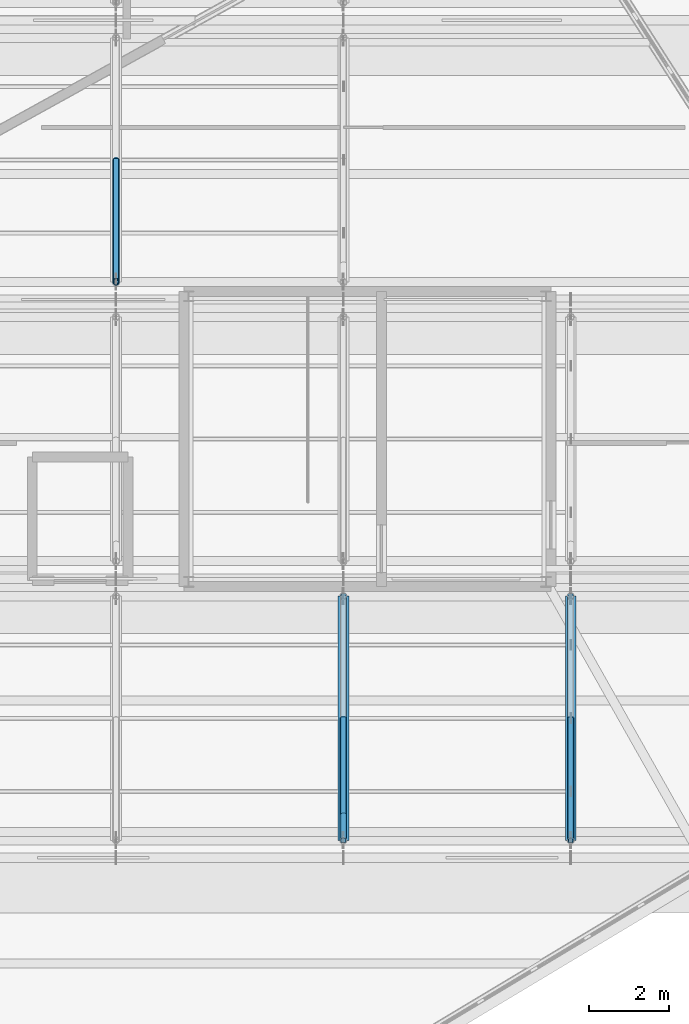
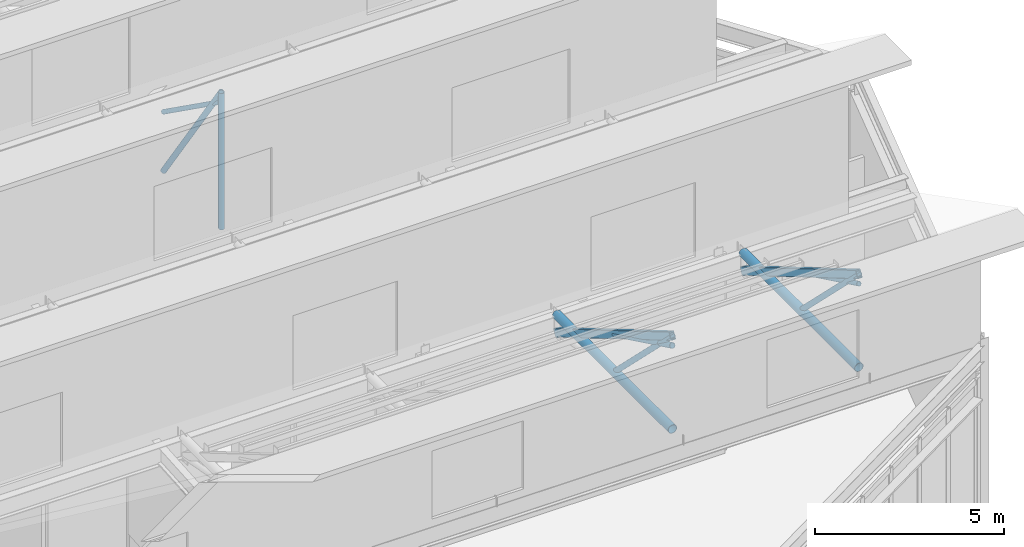
# One storey, part 21 of 55: 11 members.
"""IFC4 building model written with IfcOpenShell, lengths in metres."""

from ifc_helpers import new_model, si_unit, direction, frame, origin, origin_2d, place, context, subcontext, project, spatial, hollow_rectangle, hollow_circle, extrude, material, material_profile, profile_set, type_object, element, save


model = new_model("IFC4")

# Units and contexts
model_context = context("Model", 3, precision=1e-05, world=origin(), true_north=direction((0.0, 1.0)))
body_context = subcontext(model_context, "Body", "Model", "MODEL_VIEW")
ifc_project = project(units=[si_unit("LENGTHUNIT", "METRE"), si_unit("AREAUNIT", "SQUARE_METRE"), si_unit("VOLUMEUNIT", "CUBIC_METRE"), si_unit("PLANEANGLEUNIT", "RADIAN"), si_unit("MASSUNIT", "GRAM", prefix="KILO")], contexts=[model_context])

# Site, building, storey
site_placement = place(None, origin())
site = spatial("IfcSite", under=ifc_project, at=site_placement, CompositionType="ELEMENT")
building_placement = place(site_placement, origin())
building = spatial("IfcBuilding", under=site, at=building_placement, Name="Tameran Prism Museum", CompositionType="ELEMENT")
storey_placement = place(building_placement, frame((0.0, 0.0, 28.800048828125)))
storey = spatial("IfcBuildingStorey", under=building, at=storey_placement, Name="L05", CompositionType="ELEMENT", Elevation=28.800048828125)

# Members
ifc_material_1 = material(Name="Steel Grade C350L0 (350 MPa)", Category="steel")
ifc_material_profile_1 = material_profile(ifc_material_1, hollow_circle(Radius=0.084228515625, WallThickness=0.007080078125, at=origin_2d()))
ifc_profile_set_1 = profile_set([ifc_material_profile_1])
member_type_1 = type_object("IfcMemberType", Name="MM-BR-CHS168", PredefinedType="BRACE", material=ifc_profile_set_1)
for number, where, z_axis, x_axis, name in (
    (1, (130.39990234375, 76.0, 6.385986328125), (0.0, -0.711407246691, 0.70278000068), (1.0, 0.0, 0.0), "Sawtooth Brace STM-0019"),
    (2, (136.10009765625, 76.0, 6.385986328125), (0.0, -0.711407246691, 0.70278000068), (1.0, 0.0, 0.0), "Sawtooth Brace STM-0026"),
):
    element("IfcMember", number, at=place(storey_placement, frame(where, z_axis=z_axis, x_axis=x_axis)), inside=storey, type_object=member_type_1, Name=name, PredefinedType="BRACE", context=body_context, shape_type="SweptSolid", body=[
        extrude(hollow_circle(Radius=0.084228515625, WallThickness=0.007080078125, at=origin_2d()), origin(), (0.0, 0.0, 1.0), 4.301513671875),
    ])
member_1_placement = place(storey_placement, frame((124.699951171875, 86.93994140625, 6.385986328125), z_axis=(0.0, 0.0, 1.0), x_axis=(1.0, 0.0, 0.0)))
element("IfcMember", 3, at=member_1_placement, inside=storey, type_object=member_type_1, Name="Sawtooth Brace STM-0101", PredefinedType="BRACE", context=body_context, shape_type="SweptSolid", body=[
    extrude(hollow_circle(Radius=0.084228515625, WallThickness=0.007080078125, at=origin_2d()), origin(), (0.0, 0.0, 1.0), 4.40185546875),
])
member_2_placement = place(storey_placement, frame((124.699951171875, 90.0, 6.385986328125), z_axis=(0.0, -0.570800267729, 0.821088944244), x_axis=(1.0, 0.0, 0.0)))
element("IfcMember", 4, at=member_2_placement, inside=storey, type_object=member_type_1, Name="Sawtooth Brace STM-0103", PredefinedType="BRACE", context=body_context, shape_type="SweptSolid", body=[
    extrude(hollow_circle(Radius=0.084228515625, WallThickness=0.007080078125, at=origin_2d()), origin(), (0.0, 0.0, 1.0), 5.361083984375),
])
ifc_material_2 = material(Name="Steel Grade C350L0 (350 MPa)", Category="steel")
ifc_material_profile_2 = material_profile(ifc_material_2, hollow_circle(Radius=0.136474609375, WallThickness=0.00927734375, at=origin_2d()))
ifc_profile_set_2 = profile_set([ifc_material_profile_2])
member_type_2 = type_object("IfcMemberType", Name="MM-CH-CHS273", PredefinedType="CHORD", material=ifc_profile_set_2)
for number, where, z_axis, x_axis, name in (
    (5, (130.39990234375, 72.93994140625, 6.385986328125), (0.0, 1.0, 0.0), (-1.0, 0.0, 0.0), "Sawtooth Chord STM-0015"),
    (6, (136.10009765625, 72.93994140625, 6.385986328125), (0.0, 1.0, 0.0), (-1.0, 0.0, 0.0), "Sawtooth Chord STM-0022"),
):
    element("IfcMember", number, at=place(storey_placement, frame(where, z_axis=z_axis, x_axis=x_axis)), inside=storey, type_object=member_type_2, Name=name, PredefinedType="CHORD", context=body_context, shape_type="SweptSolid", body=[
        extrude(hollow_circle(Radius=0.136474609375, WallThickness=0.00927734375, at=origin_2d()), origin(), (0.0, 0.0, 1.0), 6.1201171875),
    ])
ifc_material_3 = material(Name="Steel Grade C350L0 (350 MPa)", Category="steel")
ifc_material_profile_3 = material_profile(ifc_material_3, hollow_rectangle(XDim=0.14990234375, YDim=0.25, WallThickness=0.009033203125, InnerFilletRadius=0.013427734375, OuterFilletRadius=0.0224609375, at=origin_2d()))
ifc_profile_set_3 = profile_set([ifc_material_profile_3])
member_type_3 = type_object("IfcMemberType", Name="MM-RF-RHS250", PredefinedType="RAFTER", material=ifc_profile_set_3)
for number, where, z_axis, x_axis, name in (
    (7, (130.39990234375, 72.93994140625, 9.408935546875), (0.0, 0.861932447349, -0.507023131826), (-1.0, 0.0, 0.0), "Sawtooth Rafter STM-0016"),
    (8, (136.10009765625, 72.93994140625, 9.408935546875), (0.0, 0.861932447349, -0.507023131826), (-1.0, 0.0, 0.0), "Sawtooth Rafter STM-0023"),
):
    element("IfcMember", number, at=place(storey_placement, frame(where, z_axis=z_axis, x_axis=x_axis)), inside=storey, type_object=member_type_3, Name=name, PredefinedType="RAFTER", context=body_context, shape_type="SweptSolid", body=[
        extrude(hollow_rectangle(XDim=0.14990234375, YDim=0.25, WallThickness=0.009033203125, InnerFilletRadius=0.013427734375, OuterFilletRadius=0.0224609375, at=origin_2d()), origin(), (0.0, 0.0, 1.0), 7.100341796875),
    ])
ifc_material_4 = material(Name="Steel Grade C350L0 (350 MPa)", Category="steel")
ifc_material_profile_4 = material_profile(ifc_material_4, hollow_circle(Radius=0.06982421875, WallThickness=0.00634765625, at=origin_2d()))
ifc_profile_set_4 = profile_set([ifc_material_profile_4])
member_type_4 = type_object("IfcMemberType", Name="MM-ST-CHS140", PredefinedType="STRUT", material=ifc_profile_set_4)
member_3_placement = place(storey_placement, frame((136.10009765625, 72.93994140625, 9.0888671875), z_axis=(0.0, 0.900239175025, -0.435395713978), x_axis=(-1.0, 0.0, 0.0)))
element("IfcMember", 9, at=member_3_placement, inside=storey, type_object=member_type_4, Name="Sawtooth Strut STM-0028", PredefinedType="STRUT", context=body_context, shape_type="SweptSolid", body=[
    extrude(hollow_circle(Radius=0.06982421875, WallThickness=0.00634765625, at=origin_2d()), origin(), (0.0, 0.0, 1.0), 3.399169921875),
])
member_4_placement = place(storey_placement, frame((124.699951171875, 86.93994140625, 10.468017578125), z_axis=(0.0, 0.814435342728, -0.580254317102), x_axis=(-1.0, 0.0, 0.0)))
element("IfcMember", 10, at=member_4_placement, inside=storey, type_object=member_type_4, Name="Sawtooth Strut STM-0105", PredefinedType="STRUT", context=body_context, shape_type="SweptSolid", body=[
    extrude(hollow_circle(Radius=0.06982421875, WallThickness=0.00634765625, at=origin_2d()), origin(), (0.0, 0.0, 1.0), 3.75732421875),
])
ifc_material_5 = material(Name="Steel Grade C350L0 (350 MPa)", Category="steel")
ifc_material_profile_5 = material_profile(ifc_material_5, hollow_circle(Radius=0.084228515625, WallThickness=0.007080078125, at=origin_2d()))
ifc_profile_set_5 = profile_set([ifc_material_profile_5])
member_type_5 = type_object("IfcMemberType", Name="MM-ST-CHS168", PredefinedType="STRUT", material=ifc_profile_set_5)
member_5_placement = place(storey_placement, frame((130.39990234375, 72.93994140625, 9.0888671875), z_axis=(0.0, 0.900239175025, -0.435395713978), x_axis=(-1.0, 0.0, 0.0)))
element("IfcMember", 11, at=member_5_placement, inside=storey, type_object=member_type_5, Name="Sawtooth Strut STM-0021", PredefinedType="STRUT", context=body_context, shape_type="SweptSolid", body=[
    extrude(hollow_circle(Radius=0.084228515625, WallThickness=0.007080078125, at=origin_2d()), origin(), (0.0, 0.0, 1.0), 3.399169921875),
])

save(model, "model.ifc")
